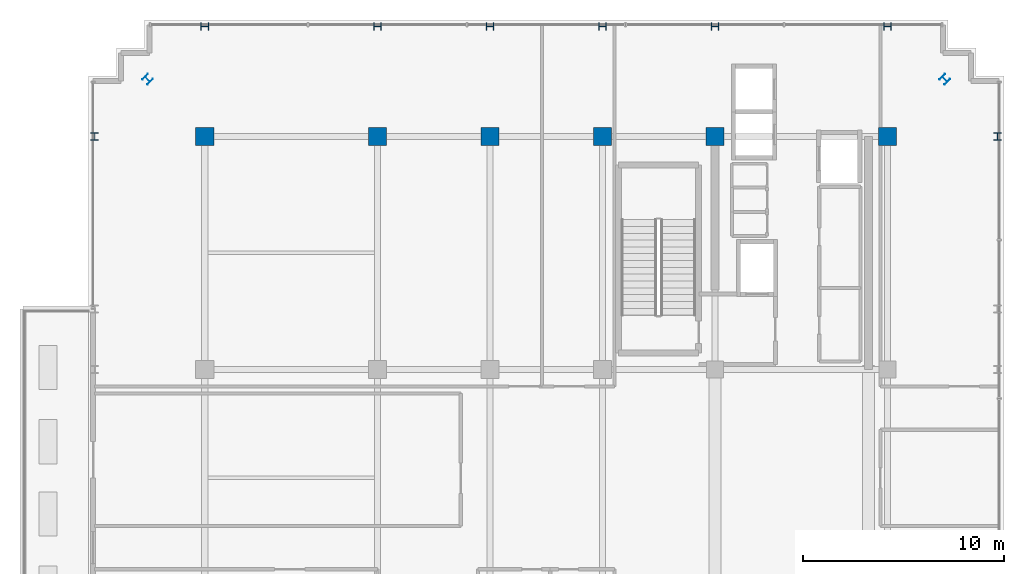
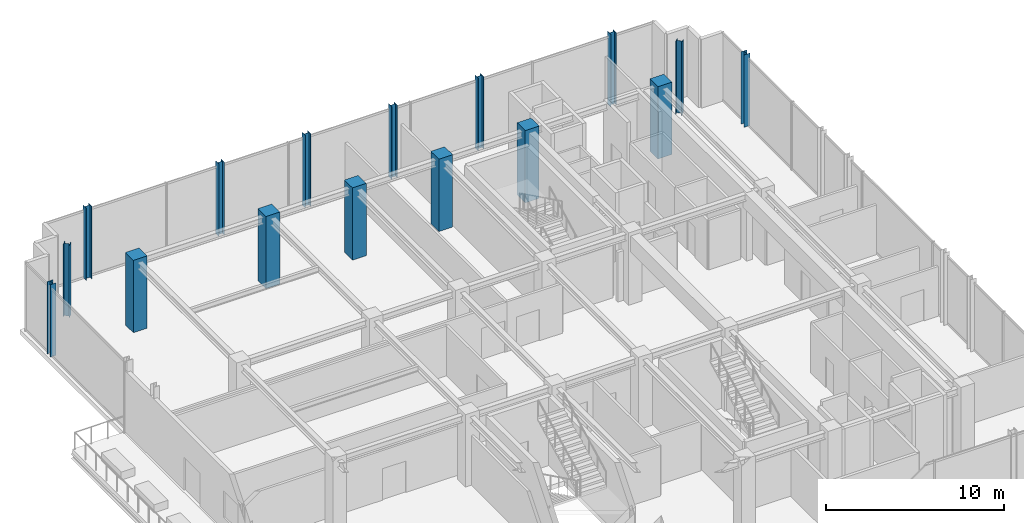
# One storey, part 3 of 28: 16 columns.
"""IFC4 building model written with IfcOpenShell, lengths in metres."""

from ifc_helpers import new_model, si_unit, direction, frame, origin, origin_2d, place, context, subcontext, project, spatial, rectangle, i_section, extrude, source, transform, mapped, material, material_profile, profile_set, type_object, element, save


model = new_model("IFC4")

# Units and contexts
model_context = context("Model", 3, precision=1e-05, world=origin(), true_north=direction((0.0, 1.0)))
body_context = subcontext(model_context, "Body", "Model", "MODEL_VIEW")
ifc_project = project(units=[si_unit("LENGTHUNIT", "METRE"), si_unit("AREAUNIT", "SQUARE_METRE"), si_unit("VOLUMEUNIT", "CUBIC_METRE"), si_unit("PLANEANGLEUNIT", "RADIAN"), si_unit("MASSUNIT", "GRAM", prefix="KILO")], contexts=[model_context])

# Site, building, storey
site_placement = place(None, origin())
site = spatial("IfcSite", under=ifc_project, at=site_placement, CompositionType="ELEMENT")
building_placement = place(site_placement, origin())
building = spatial("IfcBuilding", under=site, at=building_placement, Name="Nahalor Promenade Grand Hotel", CompositionType="ELEMENT")
storey_placement = place(building_placement, frame((0.0, 0.0, 352.050048828125)))
storey = spatial("IfcBuildingStorey", under=building, at=storey_placement, Name="L90", CompositionType="ELEMENT", Elevation=352.050048828125)

# Columns
ifc_material_1 = material(Name="Concrete B-50 (C40/50)", Category="concrete")
ifc_material_profile_1 = material_profile(ifc_material_1, rectangle(XDim=0.9, YDim=0.9, at=origin_2d()), Name="RC 900x900")
ifc_profile_set_1 = profile_set([ifc_material_profile_1], Name="Concrete B-50 (C40/50)")
column_type_1 = type_object("IfcColumnType", Name="Col-RC-900", PredefinedType="COLUMN", material=ifc_profile_set_1)
shared_shape_1 = source(origin(), body_context, "Body", "SweptSolid", [
    extrude(rectangle(XDim=0.9, YDim=0.9, at=origin_2d()), origin(), (0.0, 0.0, 1.0), 4.954833984375),
])
for number, where, z_axis, x_axis, name in (
    (1, (-17.0, 17.0, 0.0), (0.0, 0.0, 1.0), (1.0, 0.0, 0.0), "COL-L90-I03"),
    (2, (-8.39990234375, 17.0, 0.0), (0.0, 0.0, 1.0), (1.0, 0.0, 0.0), "COL-L90-I13"),
    (3, (-2.800048828125, 17.0, 0.0), (0.0, 0.0, 1.0), (1.0, 0.0, 0.0), "COL-L90-I23"),
    (4, (2.800048828125, 17.0, 0.0), (0.0, 0.0, 1.0), (1.0, 0.0, 0.0), "COL-L90-I33"),
    (5, (8.39990234375, 17.0, 0.0), (0.0, 0.0, 1.0), (1.0, 0.0, 0.0), "COL-L90-I43"),
    (6, (17.0, 17.0, 0.0), (0.0, 0.0, 1.0), (1.0, 0.0, 0.0), "COL-L90-I53"),
):
    element("IfcColumn", number, at=place(storey_placement, frame(where, z_axis=z_axis, x_axis=x_axis)), inside=storey, type_object=column_type_1, Name=name, PredefinedType="COLUMN", context=body_context, shape_type="MappedRepresentation", body=[
        mapped(shared_shape_1, transform((0.0, 0.0, 0.0), scale=1.0)),
    ])
ifc_material_2 = material(Name="Steel S355JR", Category="steel")
ifc_material_profile_2 = material_profile(ifc_material_2, i_section(OverallWidth=0.374, OverallDepth=0.374, WebThickness=0.0144, FlangeThickness=0.0229, at=origin_2d()), Name="HD 360x262")
ifc_profile_set_2 = profile_set([ifc_material_profile_2], Name="Steel S355JR")
column_type_2 = type_object("IfcColumnType", Name="Col-Steel-HD262", PredefinedType="COLUMN", material=ifc_profile_set_2)
shared_shape_2 = source(origin(), body_context, "Body", "SweptSolid", [
    extrude(i_section(OverallWidth=0.374, OverallDepth=0.374, WebThickness=0.0144, FlangeThickness=0.0229, at=origin_2d()), origin(), (0.0, 0.0, 1.0), 4.954833984375),
])
for number, where, z_axis, x_axis, name in (
    (7, (-22.47998046875, 17.0, 0.0), (0.0, 0.0, 1.0), (1.0, 0.0, 0.0), "COL-L90-PW-W5"),
    (8, (22.47998046875, 17.0, 0.0), (0.0, 0.0, 1.0), (1.0, 0.0, 0.0), "COL-L90-PW-E5"),
    (9, (-17.0, 22.47998046875, 0.0), (0.0, 0.0, 1.0), (0.0, 1.0, 0.0), "COL-L90-PN-N0"),
    (10, (-8.39990234375, 22.47998046875, 0.0), (0.0, 0.0, 1.0), (0.0, 1.0, 0.0), "COL-L90-PN-N1"),
    (11, (-2.800048828125, 22.47998046875, 0.0), (0.0, 0.0, 1.0), (0.0, 1.0, 0.0), "COL-L90-PN-N2"),
    (12, (2.800048828125, 22.47998046875, 0.0), (0.0, 0.0, 1.0), (0.0, 1.0, 0.0), "COL-L90-PN-N3"),
    (13, (8.39990234375, 22.47998046875, 0.0), (0.0, 0.0, 1.0), (0.0, 1.0, 0.0), "COL-L90-PN-N4"),
    (14, (17.0, 22.47998046875, 0.0), (0.0, 0.0, 1.0), (0.0, 1.0, 0.0), "COL-L90-PN-N5"),
    (15, (-19.85009765625, 19.85009765625, 0.0), (0.0, 0.0, 1.0), (0.707106781187, 0.707106781187, 0.0), "COL-L90-CRN-NW"),
    (16, (19.85009765625, 19.85009765625, 0.0), (0.0, 0.0, 1.0), (0.707106781187, 0.707106781187, 0.0), "COL-L90-CRN-NE"),
):
    element("IfcColumn", number, at=place(storey_placement, frame(where, z_axis=z_axis, x_axis=x_axis)), inside=storey, type_object=column_type_2, Name=name, PredefinedType="COLUMN", context=body_context, shape_type="MappedRepresentation", body=[
        mapped(shared_shape_2, transform((0.0, 0.0, 0.0), scale=1.0)),
    ])

save(model, "model.ifc")
